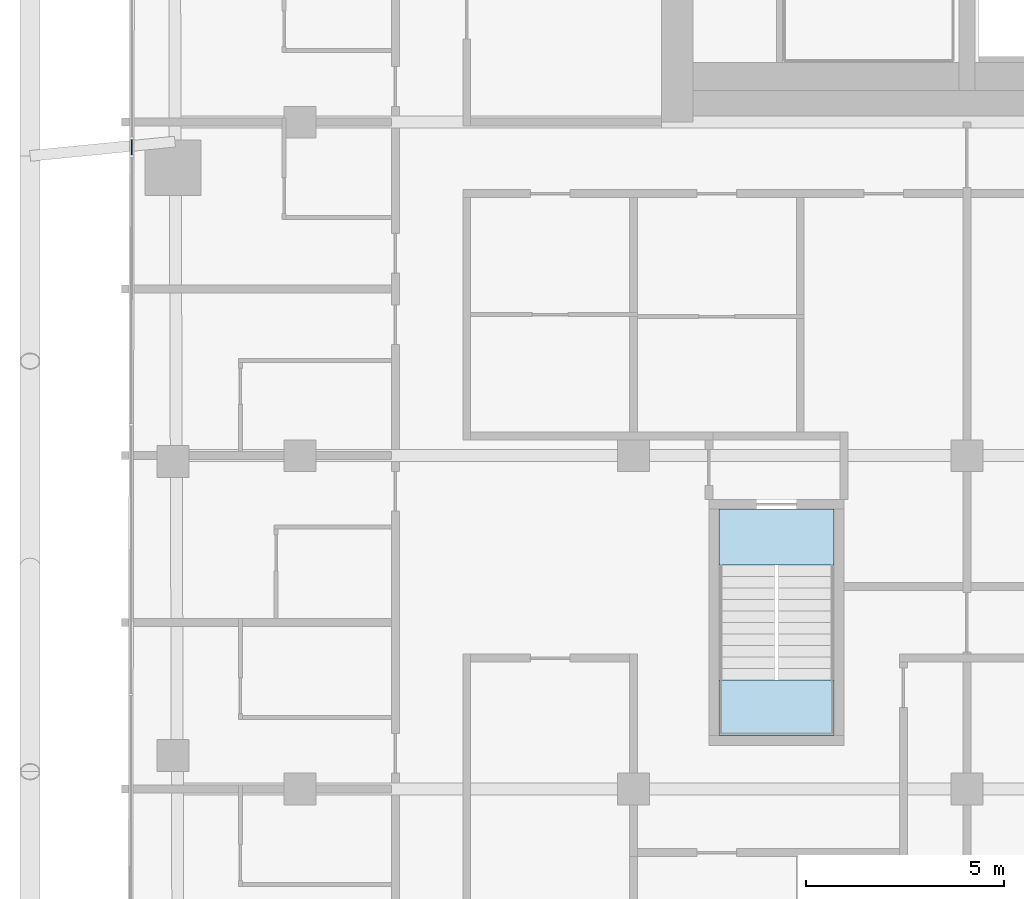
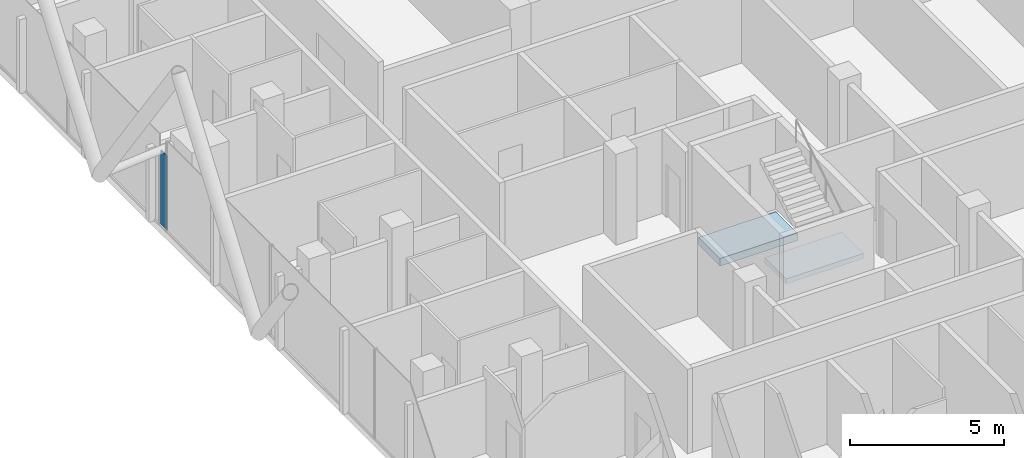
# One storey, part 16 of 31: 2 slabs, 1 plate, 2 elements without a shape of their own.
"""IFC4 building model written with IfcOpenShell, lengths in metres."""

from ifc_helpers import new_model, si_unit, direction, frame, origin, origin_2d, place, context, subcontext, project, spatial, polyline, rectangle, outline, extrude, material, layer, layer_set, type_object, element, aggregate, save


model = new_model("IFC4")

# Units and contexts
model_context = context("Model", 3, precision=1e-05, world=origin(), true_north=direction((0.0, 1.0)))
body_context = subcontext(model_context, "Body", "Model", "MODEL_VIEW")
ifc_project = project(units=[si_unit("LENGTHUNIT", "METRE"), si_unit("AREAUNIT", "SQUARE_METRE"), si_unit("VOLUMEUNIT", "CUBIC_METRE"), si_unit("PLANEANGLEUNIT", "RADIAN"), si_unit("MASSUNIT", "GRAM", prefix="KILO")], contexts=[model_context])

# Site, building, storey
site_placement = place(None, origin())
site = spatial("IfcSite", under=ifc_project, at=site_placement, CompositionType="ELEMENT")
building_placement = place(site_placement, origin())
building = spatial("IfcBuilding", under=site, at=building_placement, Name="Marenta Gate Hotel Tower", CompositionType="ELEMENT")
storey_placement = place(building_placement, frame((0.0, 0.0, 191.300048828125)))
storey = spatial("IfcBuildingStorey", under=building, at=storey_placement, Name="L43", CompositionType="ELEMENT", Elevation=191.300048828125)

# Curtain wall, plate
ifc_material_1 = material(Name="Tinted insulated glass in bronze anodised frame", Category="glass")
ifc_layer_1 = layer(ifc_material_1, 0.1201171875)
ifc_layer_set_1 = layer_set([ifc_layer_1], Name="Tinted insulated glass in bronze anodised frame")
curtain_wall_type = type_object("IfcCurtainWallType", Name="Tower unitised curtain wall CW1", PredefinedType="NOTDEFINED", material=ifc_layer_set_1)
curtain_wall_placement = place(storey_placement, origin())
curtain_wall = element("IfcCurtainWall", 1, at=curtain_wall_placement, inside=storey, type_object=curtain_wall_type, Name="CW1 run G07", PredefinedType="NOTDEFINED")
ifc_material_2 = material(Name="Tinted insulated glass", Category="glass")
ifc_layer_2 = layer(ifc_material_2, 0.028076171875)
ifc_layer_set_2 = layer_set([ifc_layer_2], Name="Tinted insulated glass")
plate_type = type_object("IfcPlateType", Name="Glass panel CW1 28 mm tinted insulated unit", PredefinedType="CURTAIN_PANEL", material=ifc_layer_set_2)
plate_placement = place(storey_placement, frame((-25.24072265625, -0.6279296875, 0.06005859375), z_axis=(0.0, 0.0, 1.0), x_axis=(-0.001537783778, -0.99999881761, 0.0)))
plate = element("IfcPlate", 2, at=plate_placement, type_object=plate_type, Name="CW1 panel 1.1", PredefinedType="CURTAIN_PANEL", context=body_context, shape_type="SweptSolid", body=[
    extrude(rectangle(XDim=0.395263671875, YDim=0.028076171875, at=origin_2d()), origin(), (0.0, 0.0, 1.0), 2.9404296875),
])
aggregate(curtain_wall, [plate])

# Stair, slab
ifc_material_3 = material(Name="Concrete C40", Category="concrete")
stair_type = type_object("IfcStairType", Name="Remote exit stair 1400 wide", PredefinedType="HALF_TURN_STAIR", material=ifc_material_3)
stair_placement = place(storey_placement, origin())
stair = element("IfcStair", 3, at=stair_placement, inside=storey, type_object=stair_type, Name="Exit stair RS-Z3-1", PredefinedType="HALF_TURN_STAIR")
ifc_material_4 = material(Name="Concrete C40", Category="concrete")
ifc_layer_3 = layer(ifc_material_4, 0.199951171875)
ifc_layer_set_3 = layer_set([ifc_layer_3], Name="Concrete C40")
slab_type_1 = type_object("IfcSlabType", Name="Remote stair landing 200", PredefinedType="LANDING", material=ifc_layer_set_3)
slab_1_placement = place(storey_placement, frame((0.0, 0.0, 1.599853515625)))
slab_1 = element("IfcSlab", 4, at=slab_1_placement, type_object=slab_type_1, Name="RL-200 RS-Z3-1 landing 1", PredefinedType="LANDING", context=body_context, shape_type="SweptSolid", body=[
    extrude(outline(polyline([(-10.449951171875, -15.449951171875), (-7.550048828125, -15.449951171875), (-7.550048828125, -14.050048828125), (-10.449951171875, -14.050048828125), (-10.449951171875, -15.449951171875)])), origin(), (0.0, 0.0, 1.0), 0.2001953125),
])
aggregate(stair, [slab_1])

# Slab
ifc_material_5 = material(Name="Concrete C40", Category="concrete")
ifc_layer_4 = layer(ifc_material_5, 0.300048828125)
ifc_layer_set_4 = layer_set([ifc_layer_4], Name="Concrete C40")
slab_type_2 = type_object("IfcSlabType", Name="Stair floor landing slab 300", PredefinedType="FLOOR", material=ifc_layer_set_4)
slab_2_placement = place(storey_placement, frame((0.0, 0.0, -0.300048828125)))
element("IfcSlab", 5, at=slab_2_placement, inside=storey, type_object=slab_type_2, Name="L43-RS-Z3-1-CL", PredefinedType="FLOOR", context=body_context, shape_type="SweptSolid", body=[
    extrude(outline(polyline([(-7.550048828125, -11.14990234375), (-7.550048828125, -9.75), (-10.449951171875, -9.75), (-10.449951171875, -11.14990234375), (-7.550048828125, -11.14990234375)])), origin(), (0.0, 0.0, 1.0), 0.300048828125),
])

save(model, "model.ifc")
